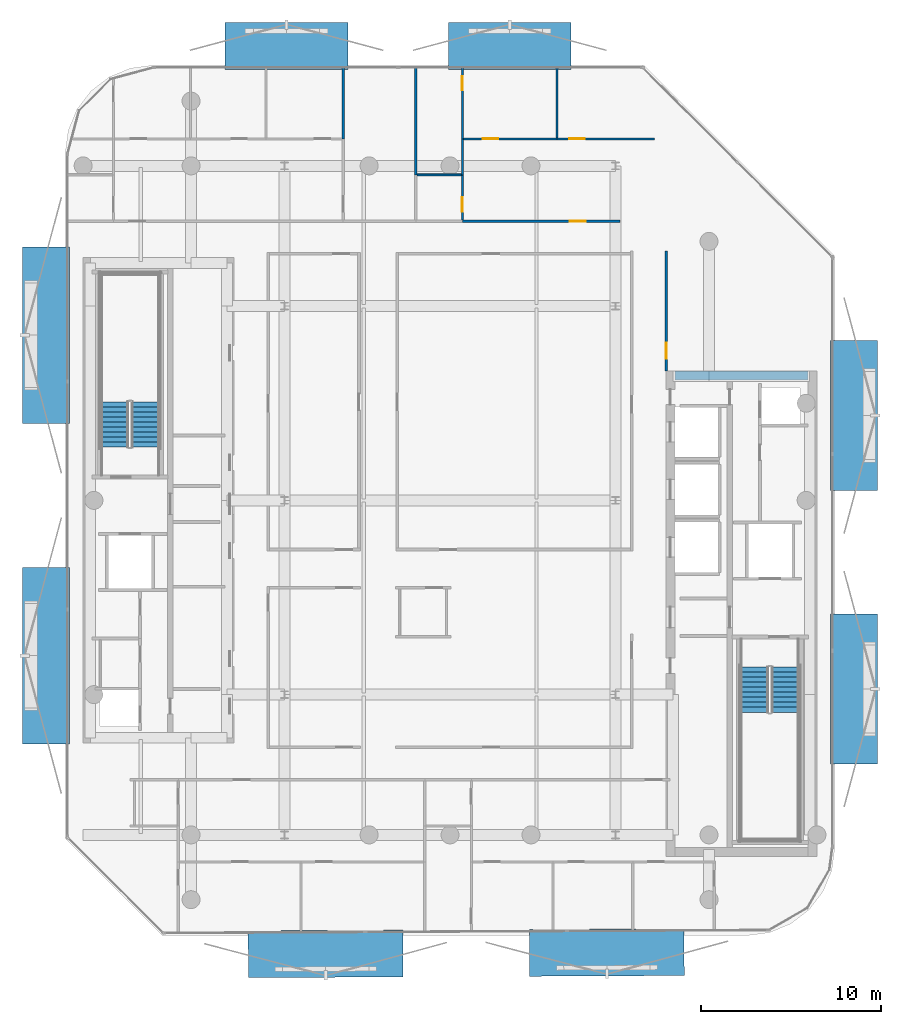
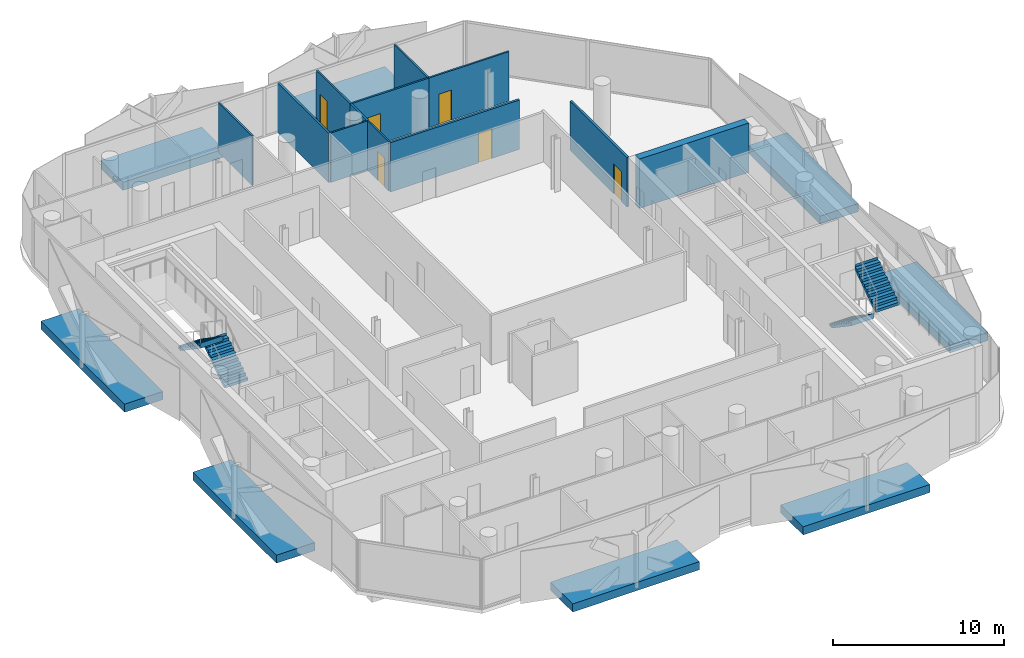
# One storey, part 8 of 16: 12 walls, 8 discrete accessories, 6 doors, 4 stair flights, 6 openings, 2 elements without a shape of their own.
"""IFC4 building model written with IfcOpenShell, lengths in metres."""

from ifc_helpers import new_model, si_unit, direction, frame, frame_2d, origin, origin_2d, place, context, subcontext, project, spatial, polyline, rectangle, outline, extrude, material, layer, layer_set, type_object, element, fill, aggregate, save


model = new_model("IFC4")

# Units and contexts
model_context = context("Model", 3, precision=1e-05, world=origin(), true_north=direction((0.0, 1.0)))
body_context = subcontext(model_context, "Body", "Model", "MODEL_VIEW")
ifc_project = project(units=[si_unit("LENGTHUNIT", "METRE"), si_unit("AREAUNIT", "SQUARE_METRE"), si_unit("VOLUMEUNIT", "CUBIC_METRE"), si_unit("PLANEANGLEUNIT", "RADIAN"), si_unit("MASSUNIT", "GRAM", prefix="KILO")], contexts=[model_context])

# Site, building, storey
site_placement = place(None, origin())
site = spatial("IfcSite", under=ifc_project, at=site_placement, CompositionType="ELEMENT")
building_placement = place(site_placement, origin())
building = spatial("IfcBuilding", under=site, at=building_placement, Name="Khairoan Windgate Tower", CompositionType="ELEMENT")
storey_placement = place(building_placement, frame((0.0, 0.0, 281.39990234375)))
storey = spatial("IfcBuildingStorey", under=building, at=storey_placement, Name="L67", CompositionType="ELEMENT", Elevation=281.39990234375)

# Wall
ifc_material_1 = material(Name="Moisture-Resistant Gypsum Partition", Category="gypsum")
ifc_layer_1 = layer(ifc_material_1, 0.10009765625, Name="Moisture-Resistant Gypsum Partition")
ifc_layer_set_1 = layer_set([ifc_layer_1], Name="Moisture-Resistant Gypsum Partition")
wall_type_1 = type_object("IfcWallType", Name="Bathroom Wet-Area Partition Wall", PredefinedType="PARTITIONING", material=ifc_layer_set_1)
wall_1_placement = place(storey_placement, frame((-1.830078125, 18.10009765625, 0.0), z_axis=(0.0, 0.0, 1.0), x_axis=(1.0, 0.0, 0.0)))
element("IfcWall", 1, at=wall_1_placement, inside=storey, type_object=wall_type_1, Name="L67 Interior Partition 048", PredefinedType="PARTITIONING", context=body_context, shape_type="SweptSolid", body=[
    extrude(rectangle(XDim=2.469970703125, YDim=0.10009765625, at=frame_2d((1.23486328125, 0.0))), origin(), (0.0, 0.0, 1.0), 3.5400390625),
])

# Wall, opening, door
wall_2_placement = place(storey_placement, frame((0.68994140625, 15.60009765625, 0.0), z_axis=(0.0, 0.0, 1.0), x_axis=(0.0, 1.0, 0.0)))
wall_2 = element("IfcWall", 2, at=wall_2_placement, inside=storey, type_object=wall_type_1, Name="L67 Interior Partition 049", PredefinedType="PARTITIONING", context=body_context, shape_type="SweptSolid", body=[
    extrude(rectangle(XDim=2.5, YDim=0.10009765625, at=frame_2d((1.25, 0.0))), origin(), (0.0, 0.0, 1.0), 3.5400390625),
])
opening_1_placement = place(wall_2_placement, frame((0.4599609375, 0.0, 0.0)))
opening_1 = element("IfcOpeningElement", 3, at=opening_1_placement, cuts=wall_2, Name="Opening ID-BTH", PredefinedType="OPENING", context=body_context, shape_type="SweptSolid", body=[
    extrude(rectangle(XDim=0.800048828125, YDim=2.10009765625, at=frame_2d((0.39990234375, 1.050048828125))), frame((0.0, 0.06005859375, 0.0), z_axis=(0.0, -1.0, 0.0), x_axis=(1.0, 0.0, 0.0)), (0.0, 0.0, 1.0), 0.1201171875),
])
ifc_material_2 = material(Name="Teak Veneer Timber Leaf", Category="wood")
door_type_1 = type_object("IfcDoorType", Name="Internal Bathroom Door ID-BTH 800x2100", OperationType="NOTDEFINED", PredefinedType="DOOR", material=ifc_material_2)
door_1_placement = place(opening_1_placement, origin())
door_1 = element("IfcDoor", 4, at=door_1_placement, inside=storey, type_object=door_type_1, Name="L67 L67-39-L67-41 Door", OperationType="SINGLE_SWING_RIGHT", OverallHeight=2.10009765625, OverallWidth=0.800048828125, PredefinedType="DOOR", context=body_context, shape_type="SweptSolid", body=[
    extrude(rectangle(XDim=0.800048828125, YDim=2.10009765625, at=frame_2d((0.39990234375, 1.050048828125))), frame((0.0, 0.02490234375, 0.0), z_axis=(0.0, -1.0, 0.0), x_axis=(1.0, 0.0, 0.0)), (0.0, 0.0, 1.0), 0.050048828125),
])
fill(opening_1, door_1)

# Walls
ifc_material_3 = material(Name="Acoustic Fire-Rated Gypsum Partition", Category="gypsum")
ifc_layer_2 = layer(ifc_material_3, 0.139892578125, Name="Acoustic Fire-Rated Gypsum Partition")
ifc_layer_set_2 = layer_set([ifc_layer_2], Name="Acoustic Fire-Rated Gypsum Partition")
wall_type_2 = type_object("IfcWallType", Name="Inter-Tenancy Compartment Wall", PredefinedType="PARTITIONING", material=ifc_layer_set_2)
wall_3_placement = place(storey_placement, frame((-1.89990234375, 18.10009765625, 0.0), z_axis=(0.0, 0.0, 1.0), x_axis=(0.0, 1.0, 0.0)))
element("IfcWall", 5, at=wall_3_placement, inside=storey, type_object=wall_type_2, Name="L67 Interior Partition 045", PredefinedType="PARTITIONING", context=body_context, shape_type="SweptSolid", body=[
    extrude(rectangle(XDim=5.954833984375, YDim=0.139892578125, at=frame_2d((2.9775390625, 0.0))), origin(), (0.0, 0.0, 1.0), 3.5400390625),
])
ifc_material_4 = material(Name="Gypsum Stud Partition", Category="gypsum")
ifc_layer_3 = layer(ifc_material_4, 0.1201171875, Name="Gypsum Stud Partition")
ifc_layer_set_3 = layer_set([ifc_layer_3], Name="Gypsum Stud Partition")
wall_type_3 = type_object("IfcWallType", Name="Internal Room Partition Wall", PredefinedType="PARTITIONING", material=ifc_layer_set_3)
wall_4_placement = place(storey_placement, frame((-5.93994140625, 20.10009765625, 0.0), z_axis=(0.0, 0.0, 1.0), x_axis=(0.0, 1.0, 0.0)))
element("IfcWall", 6, at=wall_4_placement, inside=storey, type_object=wall_type_3, Name="L67 Interior Partition 043", PredefinedType="PARTITIONING", context=body_context, shape_type="SweptSolid", body=[
    extrude(rectangle(XDim=3.954833984375, YDim=0.1201171875, at=frame_2d((1.9775390625, 0.0))), origin(), (0.0, 0.0, 1.0), 3.5400390625),
])
wall_5_placement = place(storey_placement, frame((0.68994140625, 18.10009765625, 0.0), z_axis=(0.0, 0.0, 1.0), x_axis=(0.0, 1.0, 0.0)))
element("IfcWall", 7, at=wall_5_placement, inside=storey, type_object=wall_type_3, Name="L67 Interior Partition 050", PredefinedType="PARTITIONING", context=body_context, shape_type="SweptSolid", body=[
    extrude(rectangle(XDim=2.0, YDim=0.1201171875, at=frame_2d((1.0, 0.0))), origin(), (0.0, 0.0, 1.0), 3.5400390625),
])

# Wall, opening, door
wall_6_placement = place(storey_placement, frame((0.68994140625, 20.10009765625, 0.0), z_axis=(0.0, 0.0, 1.0), x_axis=(0.0, 1.0, 0.0)))
wall_6 = element("IfcWall", 8, at=wall_6_placement, inside=storey, type_object=wall_type_3, Name="L67 Interior Partition 051", PredefinedType="PARTITIONING", context=body_context, shape_type="SweptSolid", body=[
    extrude(rectangle(XDim=3.954833984375, YDim=0.1201171875, at=frame_2d((1.9775390625, 0.0))), origin(), (0.0, 0.0, 1.0), 3.5400390625),
])
opening_2_placement = place(wall_6_placement, frame((2.695068359375, 0.0, 0.0)))
opening_2 = element("IfcOpeningElement", 9, at=opening_2_placement, cuts=wall_6, Name="Opening ID-BTH", PredefinedType="OPENING", context=body_context, shape_type="SweptSolid", body=[
    extrude(rectangle(XDim=0.800048828125, YDim=2.10009765625, at=frame_2d((0.39990234375, 1.050048828125))), frame((0.0, 0.070068359375, 0.0), z_axis=(0.0, -1.0, 0.0), x_axis=(1.0, 0.0, 0.0)), (0.0, 0.0, 1.0), 0.14013671875),
])
door_2_placement = place(opening_2_placement, origin())
door_2 = element("IfcDoor", 10, at=door_2_placement, inside=storey, type_object=door_type_1, Name="L67 L67-40-L67-42 Door", OperationType="SINGLE_SWING_LEFT", OverallHeight=2.10009765625, OverallWidth=0.800048828125, PredefinedType="DOOR", context=body_context, shape_type="SweptSolid", body=[
    extrude(rectangle(XDim=0.800048828125, YDim=2.10009765625, at=frame_2d((0.39990234375, 1.050048828125))), frame((0.0, 0.02490234375, 0.0), z_axis=(0.0, -1.0, 0.0), x_axis=(1.0, 0.0, 0.0)), (0.0, 0.0, 1.0), 0.050048828125),
])
fill(opening_2, door_2)

wall_7_placement = place(storey_placement, frame((0.75, 20.10009765625, 0.0), z_axis=(0.0, 0.0, 1.0), x_axis=(1.0, 0.0, 0.0)))
wall_7 = element("IfcWall", 11, at=wall_7_placement, inside=storey, type_object=wall_type_3, Name="L67 Interior Partition 052", PredefinedType="PARTITIONING", context=body_context, shape_type="SweptSolid", body=[
    extrude(rectangle(XDim=5.205078125, YDim=0.1201171875, at=frame_2d((2.6025390625, 0.0))), origin(), (0.0, 0.0, 1.0), 3.5400390625),
])
opening_3_placement = place(wall_7_placement, frame((1.064453125, 0.0, 0.0)))
opening_3 = element("IfcOpeningElement", 12, at=opening_3_placement, cuts=wall_7, Name="Opening ID-RM", PredefinedType="OPENING", context=body_context, shape_type="SweptSolid", body=[
    extrude(rectangle(XDim=0.860107421875, YDim=2.14990234375, at=frame_2d((0.43017578125, 1.074951171875))), frame((0.0, 0.070068359375, 0.0), z_axis=(0.0, -1.0, 0.0), x_axis=(1.0, 0.0, 0.0)), (0.0, 0.0, 1.0), 0.14013671875),
])
ifc_material_5 = material(Name="Teak Veneer Timber Leaf", Category="wood")
door_type_2 = type_object("IfcDoorType", Name="Internal Bedroom and Office Door ID-RM 860x2150", OperationType="NOTDEFINED", PredefinedType="DOOR", material=ifc_material_5)
door_3_placement = place(opening_3_placement, origin())
door_3 = element("IfcDoor", 13, at=door_3_placement, inside=storey, type_object=door_type_2, Name="L67 L67-41-L67-42 Door", OperationType="SINGLE_SWING_RIGHT", OverallHeight=2.14990234375, OverallWidth=0.860107421875, PredefinedType="DOOR", context=body_context, shape_type="SweptSolid", body=[
    extrude(rectangle(XDim=0.860107421875, YDim=2.14990234375, at=frame_2d((0.43017578125, 1.074951171875))), frame((0.0, 0.02490234375, 0.0), z_axis=(0.0, -1.0, 0.0), x_axis=(1.0, 0.0, 0.0)), (0.0, 0.0, 1.0), 0.050048828125),
])
fill(opening_3, door_3)

wall_8_placement = place(storey_placement, frame((5.955078125, 20.10009765625, 0.0), z_axis=(0.0, 0.0, 1.0), x_axis=(1.0, 0.0, 0.0)))
wall_8 = element("IfcWall", 14, at=wall_8_placement, inside=storey, type_object=wall_type_3, Name="L67 Interior Partition 053", PredefinedType="PARTITIONING", context=body_context, shape_type="SweptSolid", body=[
    extrude(rectangle(XDim=5.4248046875, YDim=0.1201171875, at=frame_2d((2.71240234375, 0.0))), origin(), (0.0, 0.0, 1.0), 3.5400390625),
])
opening_4_placement = place(wall_8_placement, frame((0.66259765625, 0.0, 0.0)))
opening_4 = element("IfcOpeningElement", 15, at=opening_4_placement, cuts=wall_8, Name="Opening ID-RM", PredefinedType="OPENING", context=body_context, shape_type="SweptSolid", body=[
    extrude(rectangle(XDim=0.860107421875, YDim=2.14990234375, at=frame_2d((0.43017578125, 1.074951171875))), frame((0.0, 0.070068359375, 0.0), z_axis=(0.0, -1.0, 0.0), x_axis=(1.0, 0.0, 0.0)), (0.0, 0.0, 1.0), 0.14013671875),
])
door_4_placement = place(opening_4_placement, origin())
door_4 = element("IfcDoor", 16, at=door_4_placement, inside=storey, type_object=door_type_2, Name="L67 L67-41-L67-43 Door", OperationType="SINGLE_SWING_LEFT", OverallHeight=2.14990234375, OverallWidth=0.860107421875, PredefinedType="DOOR", context=body_context, shape_type="SweptSolid", body=[
    extrude(rectangle(XDim=0.860107421875, YDim=2.14990234375, at=frame_2d((0.43017578125, 1.074951171875))), frame((0.0, 0.02490234375, 0.0), z_axis=(0.0, -1.0, 0.0), x_axis=(1.0, 0.0, 0.0)), (0.0, 0.0, 1.0), 0.050048828125),
])
fill(opening_4, door_4)

# Wall
wall_9_placement = place(storey_placement, frame((5.955078125, 20.159912109375, 0.0), z_axis=(0.0, 0.0, 1.0), x_axis=(0.0, 1.0, 0.0)))
element("IfcWall", 17, at=wall_9_placement, inside=storey, type_object=wall_type_3, Name="L67 Interior Partition 054", PredefinedType="PARTITIONING", context=body_context, shape_type="SweptSolid", body=[
    extrude(rectangle(XDim=3.89501953125, YDim=0.1201171875, at=frame_2d((1.947509765625, 0.0))), origin(), (0.0, 0.0, 1.0), 3.5400390625),
])

# Wall, opening, door
ifc_material_6 = material(Name="Acoustic Fire-Rated Gypsum Partition", Category="gypsum")
ifc_layer_4 = layer(ifc_material_6, 0.14990234375, Name="Acoustic Fire-Rated Gypsum Partition")
ifc_layer_set_4 = layer_set([ifc_layer_4], Name="Acoustic Fire-Rated Gypsum Partition")
wall_type_4 = type_object("IfcWallType", Name="Rated Corridor Partition Wall", PredefinedType="PARTITIONING", material=ifc_layer_set_4)
wall_10_placement = place(storey_placement, frame((12.014892578125, 7.199951171875, 0.0), z_axis=(0.0, 0.0, 1.0), x_axis=(0.0, 1.0, 0.0)))
wall_10 = element("IfcWall", 18, at=wall_10_placement, inside=storey, type_object=wall_type_4, Name="L67 Interior Partition 013", PredefinedType="PARTITIONING", context=body_context, shape_type="SweptSolid", body=[
    extrude(rectangle(XDim=6.679931640625, YDim=0.14990234375, at=frame_2d((3.33984375, 0.0))), origin(), (0.0, 0.0, 1.0), 3.5400390625),
])
opening_5_placement = place(wall_10_placement, frame((0.669921875, 0.0, 0.0)))
opening_5 = element("IfcOpeningElement", 19, at=opening_5_placement, cuts=wall_10, Name="Opening FD-ENT", PredefinedType="OPENING", context=body_context, shape_type="SweptSolid", body=[
    extrude(rectangle(XDim=0.89990234375, YDim=2.14990234375, at=frame_2d((0.449951171875, 1.074951171875))), frame((0.0, 0.0849609375, 0.0), z_axis=(0.0, -1.0, 0.0), x_axis=(1.0, 0.0, 0.0)), (0.0, 0.0, 1.0), 0.169921875),
])
ifc_material_7 = material(Name="Timber Fire-Rated Core", Category="wood")
door_type_3 = type_object("IfcDoorType", Name="Unit and Office Fire Entrance Door FD-ENT 900x2150", OperationType="NOTDEFINED", PredefinedType="DOOR", material=ifc_material_7)
door_5_placement = place(opening_5_placement, origin())
door_5 = element("IfcDoor", 20, at=door_5_placement, inside=storey, type_object=door_type_3, Name="L67 L67-27-L67-56 Door", OperationType="SINGLE_SWING_LEFT", OverallHeight=2.14990234375, OverallWidth=0.89990234375, PredefinedType="DOOR", context=body_context, shape_type="SweptSolid", body=[
    extrude(rectangle(XDim=0.89990234375, YDim=2.14990234375, at=frame_2d((0.449951171875, 1.074951171875))), frame((0.0, 0.02490234375, 0.0), z_axis=(0.0, -1.0, 0.0), x_axis=(1.0, 0.0, 0.0)), (0.0, 0.0, 1.0), 0.050048828125),
])
fill(opening_5, door_5)

wall_11_placement = place(storey_placement, frame((0.68994140625, 15.52490234375, 0.0), z_axis=(0.0, 0.0, 1.0), x_axis=(1.0, 0.0, 0.0)))
wall_11 = element("IfcWall", 21, at=wall_11_placement, inside=storey, type_object=wall_type_4, Name="L67 Interior Partition 026", PredefinedType="PARTITIONING", context=body_context, shape_type="SweptSolid", body=[
    extrude(rectangle(XDim=8.75, YDim=0.14990234375, at=frame_2d((4.375, 0.0))), origin(), (0.0, 0.0, 1.0), 3.5400390625),
])
opening_6_placement = place(wall_11_placement, frame((5.963134765625, 0.0, 0.0)))
opening_6 = element("IfcOpeningElement", 22, at=opening_6_placement, cuts=wall_11, Name="Opening FD-ENT", PredefinedType="OPENING", context=body_context, shape_type="SweptSolid", body=[
    extrude(rectangle(XDim=0.89990234375, YDim=2.14990234375, at=frame_2d((0.449951171875, 1.074951171875))), frame((0.0, 0.0849609375, 0.0), z_axis=(0.0, -1.0, 0.0), x_axis=(1.0, 0.0, 0.0)), (0.0, 0.0, 1.0), 0.169921875),
])
door_6_placement = place(opening_6_placement, origin())
door_6 = element("IfcDoor", 23, at=door_6_placement, inside=storey, type_object=door_type_3, Name="L67 L67-30-L67-41 Door", OperationType="SINGLE_SWING_LEFT", OverallHeight=2.14990234375, OverallWidth=0.89990234375, PredefinedType="DOOR", context=body_context, shape_type="SweptSolid", body=[
    extrude(rectangle(XDim=0.89990234375, YDim=2.14990234375, at=frame_2d((0.449951171875, 1.074951171875))), frame((0.0, 0.02490234375, 0.0), z_axis=(0.0, -1.0, 0.0), x_axis=(1.0, 0.0, 0.0)), (0.0, 0.0, 1.0), 0.050048828125),
])
fill(opening_6, door_6)

# Wall
ifc_material_8 = material(Name="Concrete C50/60", Category="concrete")
ifc_layer_5 = layer(ifc_material_8, 0.5, Name="Concrete C50/60")
ifc_layer_set_5 = layer_set([ifc_layer_5], Name="Concrete C50/60")
wall_type_5 = type_object("IfcWallType", Name="Shear Wall CW-E3 500mm", PredefinedType="SHEAR", material=ifc_layer_set_5)
wall_12_placement = place(storey_placement, frame((12.5, 6.949951171875, 0.0), z_axis=(0.0, 0.0, 1.0), x_axis=(1.0, 0.0, 0.0)))
element("IfcWall", 24, at=wall_12_placement, inside=storey, type_object=wall_type_5, Name="E Core North Shear Wall L67", PredefinedType="SHEAR", context=body_context, shape_type="SweptSolid", body=[
    extrude(rectangle(XDim=7.39990234375, YDim=0.5, at=frame_2d((3.699951171875, 0.0))), origin(), (0.0, 0.0, 1.0), 3.5400390625),
])

# Stair, stair flights
ifc_material_9 = material(Name="Concrete C40/50", Category="concrete")
stair_type = type_object("IfcStairType", Name="Tower Core Dog-Leg Stair ST-T1 1560mm", PredefinedType="HALF_TURN_STAIR", material=ifc_material_9)
stair_1_placement = place(storey_placement, origin())
stair_1 = element("IfcStair", 25, at=stair_1_placement, inside=storey, type_object=stair_type, Name="L67 Stair ST1", PredefinedType="HALF_TURN_STAIR")
ifc_material_10 = material(Name="Concrete C40/50", Category="concrete")
ifc_layer_6 = layer(ifc_material_10, 0.14990234375, Name="Concrete C40/50")
ifc_layer_set_6 = layer_set([ifc_layer_6], Name="Concrete C40/50")
stair_flight_type = type_object("IfcStairFlightType", Name="Tower Core Stair Flight STF-1560", PredefinedType="STRAIGHT", material=ifc_layer_set_6)
stair_flight_1_placement = place(storey_placement, frame((16.929931640625, -9.260009765625, 0.0), z_axis=(0.0, 0.0, 1.0), x_axis=(0.0, -1.0, 0.0)))
stair_flight_1 = element("IfcStairFlight", 26, at=stair_flight_1_placement, type_object=stair_flight_type, Name="ST1 flight 1", NumberOfRisers=10, NumberOfTreads=9, PredefinedType="STRAIGHT", RiserHeight=0.19, TreadLength=0.28, context=body_context, shape_type="SweptSolid", body=[
    extrude(outline(polyline([(-0.00390625, 0.0), (-0.00390625, 0.18994140625), (0.0, 0.18994140625), (0.280029296875, 0.18994140625), (0.280029296875, 0.3798828125), (0.56005859375, 0.3798828125), (0.56005859375, 0.570068359375), (0.840087890625, 0.570068359375), (0.840087890625, 0.760009765625), (1.1201171875, 0.760009765625), (1.1201171875, 0.949951171875), (1.39990234375, 0.949951171875), (1.39990234375, 1.139892578125), (1.679931640625, 1.139892578125), (1.679931640625, 1.330078125), (1.9599609375, 1.330078125), (1.9599609375, 1.52001953125), (2.239990234375, 1.52001953125), (2.239990234375, 1.7099609375), (2.52001953125, 1.7099609375), (2.52001953125, 1.89990234375), (2.52392578125, 1.89990234375), (2.52392578125, 1.52880859375), (0.266845703125, 0.0), (-0.00390625, 0.0)])), frame((0.0, 0.780029296875, 0.0), z_axis=(0.0, -1.0, 0.0), x_axis=(1.0, 0.0, 0.0)), (0.0, 0.0, 1.0), 1.56005859375),
])
stair_flight_2_placement = place(storey_placement, frame((18.639892578125, -11.780029296875, 1.900146484375), z_axis=(0.0, 0.0, 1.0), x_axis=(0.0, 1.0, 0.0)))
stair_flight_2 = element("IfcStairFlight", 27, at=stair_flight_2_placement, type_object=stair_flight_type, Name="ST1 flight 2", NumberOfRisers=10, NumberOfTreads=9, PredefinedType="STRAIGHT", RiserHeight=0.19, TreadLength=0.28, context=body_context, shape_type="SweptSolid", body=[
    extrude(outline(polyline([(-0.00390625, 0.0), (-0.00390625, 0.18994140625), (0.0, 0.18994140625), (0.280029296875, 0.18994140625), (0.280029296875, 0.3798828125), (0.56005859375, 0.3798828125), (0.56005859375, 0.570068359375), (0.840087890625, 0.570068359375), (0.840087890625, 0.760009765625), (1.1201171875, 0.760009765625), (1.1201171875, 0.949951171875), (1.39990234375, 0.949951171875), (1.39990234375, 1.139892578125), (1.679931640625, 1.139892578125), (1.679931640625, 1.330078125), (1.9599609375, 1.330078125), (1.9599609375, 1.52001953125), (2.239990234375, 1.52001953125), (2.239990234375, 1.7099609375), (2.52001953125, 1.7099609375), (2.52001953125, 1.89990234375), (2.52392578125, 1.89990234375), (2.52392578125, 1.52880859375), (0.266845703125, 0.0), (-0.00390625, 0.0)])), frame((0.0, 0.780029296875, 0.0), z_axis=(0.0, -1.0, 0.0), x_axis=(1.0, 0.0, 0.0)), (0.0, 0.0, 1.0), 1.56005859375),
])
aggregate(stair_1, [stair_flight_1, stair_flight_2])

stair_2_placement = place(storey_placement, origin())
stair_2 = element("IfcStair", 28, at=stair_2_placement, inside=storey, type_object=stair_type, Name="L67 Stair ST2", PredefinedType="HALF_TURN_STAIR")
stair_flight_3_placement = place(storey_placement, frame((-16.929931640625, 2.9599609375, 0.0), z_axis=(0.0, 0.0, 1.0), x_axis=(0.0, 1.0, 0.0)))
stair_flight_3 = element("IfcStairFlight", 29, at=stair_flight_3_placement, type_object=stair_flight_type, Name="ST2 flight 1", NumberOfRisers=10, NumberOfTreads=9, PredefinedType="STRAIGHT", RiserHeight=0.19, TreadLength=0.28, context=body_context, shape_type="SweptSolid", body=[
    extrude(outline(polyline([(-0.00390625, 0.0), (-0.00390625, 0.18994140625), (0.0, 0.18994140625), (0.280029296875, 0.18994140625), (0.280029296875, 0.3798828125), (0.56005859375, 0.3798828125), (0.56005859375, 0.570068359375), (0.840087890625, 0.570068359375), (0.840087890625, 0.760009765625), (1.1201171875, 0.760009765625), (1.1201171875, 0.949951171875), (1.39990234375, 0.949951171875), (1.39990234375, 1.139892578125), (1.679931640625, 1.139892578125), (1.679931640625, 1.330078125), (1.9599609375, 1.330078125), (1.9599609375, 1.52001953125), (2.239990234375, 1.52001953125), (2.239990234375, 1.7099609375), (2.52001953125, 1.7099609375), (2.52001953125, 1.89990234375), (2.52392578125, 1.89990234375), (2.52392578125, 1.52880859375), (0.266845703125, 0.0), (-0.00390625, 0.0)])), frame((0.0, 0.780029296875, 0.0), z_axis=(0.0, -1.0, 0.0), x_axis=(1.0, 0.0, 0.0)), (0.0, 0.0, 1.0), 1.56005859375),
])
stair_flight_4_placement = place(storey_placement, frame((-18.639892578125, 5.47998046875, 1.900146484375), z_axis=(0.0, 0.0, 1.0), x_axis=(0.0, -1.0, 0.0)))
stair_flight_4 = element("IfcStairFlight", 30, at=stair_flight_4_placement, type_object=stair_flight_type, Name="ST2 flight 2", NumberOfRisers=10, NumberOfTreads=9, PredefinedType="STRAIGHT", RiserHeight=0.19, TreadLength=0.28, context=body_context, shape_type="SweptSolid", body=[
    extrude(outline(polyline([(-0.00390625, 0.0), (-0.00390625, 0.18994140625), (0.0, 0.18994140625), (0.280029296875, 0.18994140625), (0.280029296875, 0.3798828125), (0.56005859375, 0.3798828125), (0.56005859375, 0.570068359375), (0.840087890625, 0.570068359375), (0.840087890625, 0.760009765625), (1.1201171875, 0.760009765625), (1.1201171875, 0.949951171875), (1.39990234375, 0.949951171875), (1.39990234375, 1.139892578125), (1.679931640625, 1.139892578125), (1.679931640625, 1.330078125), (1.9599609375, 1.330078125), (1.9599609375, 1.52001953125), (2.239990234375, 1.52001953125), (2.239990234375, 1.7099609375), (2.52001953125, 1.7099609375), (2.52001953125, 1.89990234375), (2.52392578125, 1.89990234375), (2.52392578125, 1.52880859375), (0.266845703125, 0.0), (-0.00390625, 0.0)])), frame((0.0, 0.780029296875, 0.0), z_axis=(0.0, -1.0, 0.0), x_axis=(1.0, 0.0, 0.0)), (0.0, 0.0, 1.0), 1.56005859375),
])
aggregate(stair_2, [stair_flight_3, stair_flight_4])

# Discrete accessories
ifc_material_11 = material(Name="Steel S355", Category="steel")
discrete_accessory_type = type_object("IfcDiscreteAccessoryType", Name="Solar Screen Outrigger Slab Bracket SSB-1", PredefinedType="BRACKET", material=ifc_material_11)
for number, where, z_axis, x_axis, name in (
    (31, (8.718994140625, -25.140380859375, -0.419921875), (0.0, 0.0, 1.0), (-0.999988059021, -0.004886902454, 0.0), "L67 Solar Screen Outrigger Bracket 462"),
    (32, (-6.917724609375, -25.21630859375, -0.419921875), (0.0, 0.0, 1.0), (-0.999988059021, -0.004886902454, 0.0), "L67 Solar Screen Outrigger Bracket 463"),
):
    element("IfcDiscreteAccessory", number, at=place(storey_placement, frame(where, z_axis=z_axis, x_axis=x_axis)), inside=storey, type_object=discrete_accessory_type, Name=name, PredefinedType="BRACKET", context=body_context, shape_type="SweptSolid", body=[
        extrude(rectangle(XDim=8.60009765625, YDim=2.60009765625, at=origin_2d()), origin(), (0.0, 0.0, 1.0), 0.580078125),
    ])
for number, where, z_axis, x_axis, name in (
    (33, (-22.4599609375, -8.6337890625, -0.419921875), (0.0, 0.0, 1.0), (0.0, 1.0, 0.0), "L67 Solar Screen Outrigger Bracket 464"),
    (34, (-22.4599609375, 9.1826171875, -0.419921875), (0.0, 0.0, 1.0), (0.0, 1.0, 0.0), "L67 Solar Screen Outrigger Bracket 465"),
):
    element("IfcDiscreteAccessory", number, at=place(storey_placement, frame(where, z_axis=z_axis, x_axis=x_axis)), inside=storey, type_object=discrete_accessory_type, Name=name, PredefinedType="BRACKET", context=body_context, shape_type="SweptSolid", body=[
        extrude(rectangle(XDim=9.799072265625, YDim=2.60009765625, at=origin_2d()), origin(), (0.0, 0.0, 1.0), 0.580078125),
    ])
for number, where, z_axis, x_axis, name in (
    (35, (-9.087646484375, 25.260009765625, -0.419921875), (0.0, 0.0, 1.0), (1.0, 0.0, 0.0), "L67 Solar Screen Outrigger Bracket 466"),
    (36, (3.31884765625, 25.260009765625, -0.419921875), (0.0, 0.0, 1.0), (1.0, 0.0, 0.0), "L67 Solar Screen Outrigger Bracket 467"),
):
    element("IfcDiscreteAccessory", number, at=place(storey_placement, frame(where, z_axis=z_axis, x_axis=x_axis)), inside=storey, type_object=discrete_accessory_type, Name=name, PredefinedType="BRACKET", context=body_context, shape_type="SweptSolid", body=[
        extrude(rectangle(XDim=6.823974609375, YDim=2.60009765625, at=origin_2d()), origin(), (0.0, 0.0, 1.0), 0.580078125),
    ])
for number, where, z_axis, x_axis, name in (
    (37, (22.4599609375, 4.71875, -0.419921875), (0.0, 0.0, 1.0), (0.0, -1.0, 0.0), "L67 Solar Screen Outrigger Bracket 468"),
    (38, (22.4599609375, -10.487548828125, -0.419921875), (0.0, 0.0, 1.0), (0.0, -1.0, 0.0), "L67 Solar Screen Outrigger Bracket 469"),
):
    element("IfcDiscreteAccessory", number, at=place(storey_placement, frame(where, z_axis=z_axis, x_axis=x_axis)), inside=storey, type_object=discrete_accessory_type, Name=name, PredefinedType="BRACKET", context=body_context, shape_type="SweptSolid", body=[
        extrude(rectangle(XDim=8.364013671875, YDim=2.60009765625, at=origin_2d()), origin(), (0.0, 0.0, 1.0), 0.580078125),
    ])

save(model, "model.ifc")
